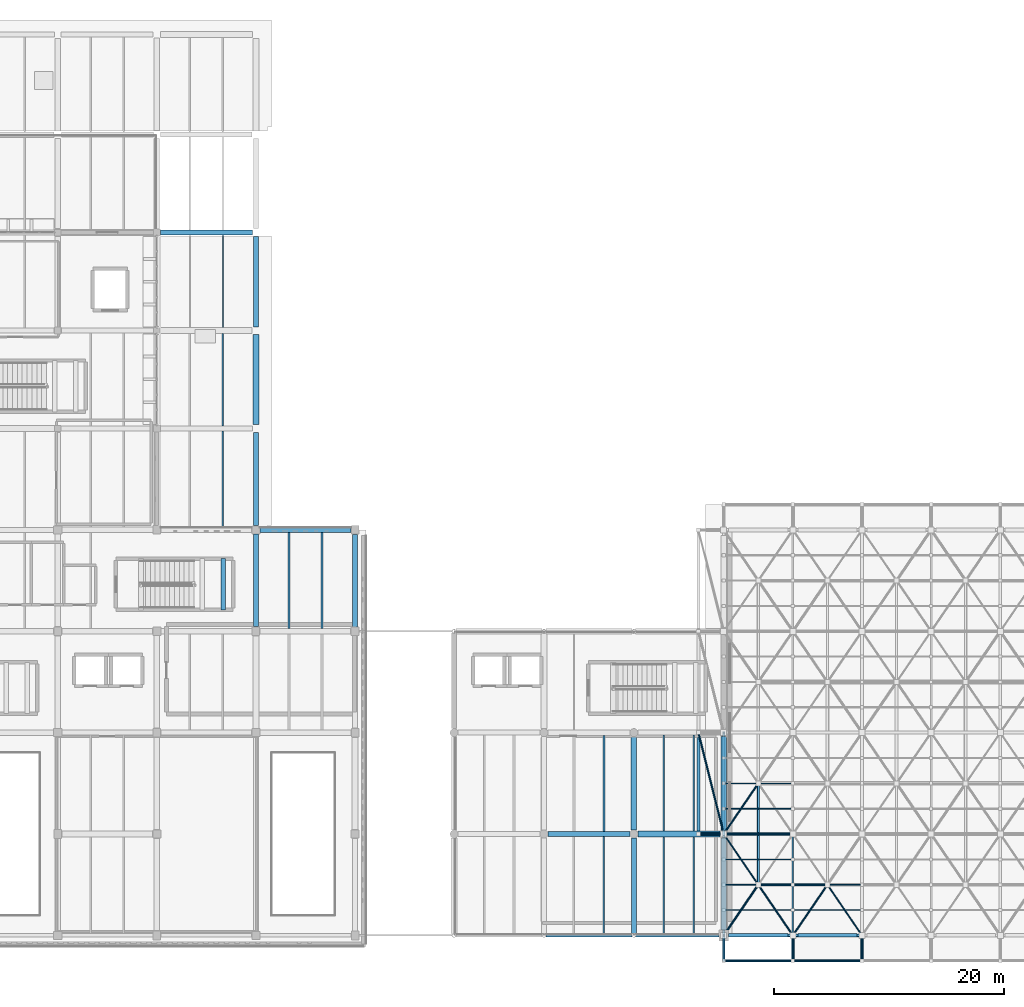
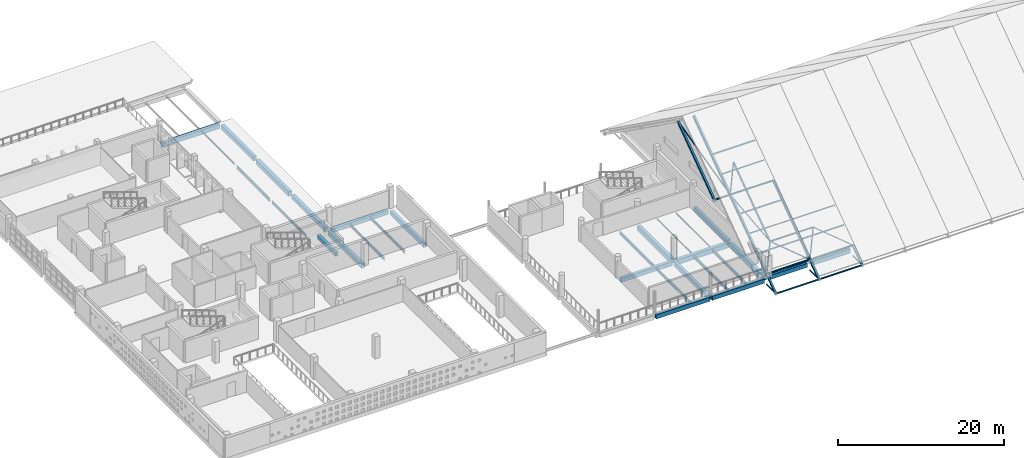
# One storey, part 18 of 55: 32 members, 29 beams.
"""IFC4 building model written with IfcOpenShell, lengths in metres."""

import ifcopenshell
import ifcopenshell.guid

model = None  # the IFC model being written
_history = None  # IfcOwnerHistory: only IFC2X3 demands one
_inside = {}  # id of a spatial element -> (the spatial element, [elements in it])
_under = {}  # id of a project, library or spatial element -> (it, [spatial elements below it])
_declared = {}  # id of a project -> (the project, [libraries it declares])
_typed = {}  # id of a type object -> (the type object, [elements of that type])
_made_of = {}  # id of a material, layer set ... -> (it, [elements and type objects made of it])


def new_model(schema):
    """Start an empty IFC model of exactly this schema.

    Asked for "IFC4X3", IfcOpenShell would pick the latest addendum, in which some entities
    have other attributes; the version numbers below select the first issue.
    IFC2X3 requires an IfcOwnerHistory on every rooted entity: one is made here for all.
    """
    global model, _history
    if schema == "IFC4X3":
        model = ifcopenshell.file(schema_version=(4, 3, 0, 0))
    else:
        model = ifcopenshell.file(schema=schema)
    _inside.clear()
    _under.clear()
    _declared.clear()
    _typed.clear()
    _made_of.clear()
    _history = None
    if model.schema == "IFC2X3":
        org = make("IfcOrganization", Name="unknown")
        user = make(
            "IfcPersonAndOrganization",
            ThePerson=make("IfcPerson", FamilyName="unknown"),
            TheOrganization=org,
        )
        app = make(
            "IfcApplication",
            ApplicationDeveloper=org,
            Version="unknown",
            ApplicationFullName="unknown",
            ApplicationIdentifier="unknown",
        )
        _history = make(
            "IfcOwnerHistory",
            OwningUser=user,
            OwningApplication=app,
            ChangeAction="ADDED",
            CreationDate=0,
        )
    return model


def make(cls, **values):
    """One entity of the class cls with the attributes given. An attribute that is None is left unset."""
    return model.create_entity(
        cls, **{name: value for name, value in values.items() if value is not None}
    )


def rooted(cls, **values):
    """An entity with a GlobalId (a new one), such as an element, a storey or a relation."""
    return make(cls, GlobalId=ifcopenshell.guid.new(), OwnerHistory=_history, **values)


def si_unit(unit_type, name, prefix=None):
    """IfcSIUnit, for example si_unit("LENGTHUNIT", "METRE", prefix="MILLI")."""
    return make("IfcSIUnit", UnitType=unit_type, Prefix=prefix, Name=name)


def assignment(units):
    """IfcUnitAssignment: the units of a project."""
    return None if units is None else make("IfcUnitAssignment", Units=units)


def point(xyz):
    """IfcCartesianPoint."""
    return None if xyz is None else make("IfcCartesianPoint", Coordinates=xyz)


def direction(xyz):
    """IfcDirection."""
    return None if xyz is None else make("IfcDirection", DirectionRatios=xyz)


def frame(location, z_axis=None, x_axis=None):
    """IfcAxis2Placement3D, a coordinate frame: its origin and axes. An axis left out is left unset."""
    return make(
        "IfcAxis2Placement3D",
        Location=point(location),
        Axis=direction(z_axis),
        RefDirection=direction(x_axis),
    )


def frame_2d(location, x_axis=None):
    """IfcAxis2Placement2D, a coordinate frame in the plane: its origin and x axis."""
    return make(
        "IfcAxis2Placement2D", Location=point(location), RefDirection=direction(x_axis)
    )


def origin():
    """The frame at (0, 0, 0) with its axes left unset."""
    return frame((0.0, 0.0, 0.0))


def origin_2d():
    """The frame at (0, 0) in the plane with its x axis left unset."""
    return frame_2d((0.0, 0.0))


def place(relative_to, where):
    """IfcLocalPlacement: puts the frame where relative to a parent placement (None: the world)."""
    return make(
        "IfcLocalPlacement", PlacementRelTo=relative_to, RelativePlacement=where
    )


def context(
    kind, dimensions, precision=None, world=None, true_north=None, identifier=None
):
    """IfcGeometricRepresentationContext, for example the 3D "Model" context."""
    return make(
        "IfcGeometricRepresentationContext",
        ContextIdentifier=identifier,
        ContextType=kind,
        CoordinateSpaceDimension=dimensions,
        Precision=precision,
        WorldCoordinateSystem=world,
        TrueNorth=true_north,
    )


def subcontext(parent, identifier, kind, view, scale=None):
    """IfcGeometricRepresentationSubContext, for example "Body" below "Model"."""
    return make(
        "IfcGeometricRepresentationSubContext",
        ContextIdentifier=identifier,
        ContextType=kind,
        ParentContext=parent,
        TargetScale=scale,
        TargetView=view,
    )


def project(units=None, contexts=None):
    """IfcProject with its units and contexts."""
    return rooted(
        "IfcProject",
        Name="project",
        RepresentationContexts=contexts,
        UnitsInContext=assignment(units),
    )


def spatial(cls, under=None, at=None, **own):
    """A site, building, storey or space (cls), placed at a placement, below another one or the project."""
    s = rooted(cls, ObjectPlacement=at, **own)
    if under is not None:
        _under.setdefault(under.id(), (under, []))[1].append(s)
    return s


def profile(cls, at=None, kind="AREA", **sizes):
    """A parametric profile (cls). Its sizes go by their IFC names, for example OverallWidth=200.0."""
    return make(cls, ProfileType=kind, Position=at, **sizes)


def rectangle(**sizes):
    """IfcRectangleProfileDef."""
    return profile("IfcRectangleProfileDef", **sizes)


def hollow_rectangle(**sizes):
    """IfcRectangleHollowProfileDef."""
    return profile("IfcRectangleHollowProfileDef", **sizes)


def hollow_circle(**sizes):
    """IfcCircleHollowProfileDef."""
    return profile("IfcCircleHollowProfileDef", **sizes)


def i_section(**sizes):
    """IfcIShapeProfileDef."""
    return profile("IfcIShapeProfileDef", **sizes)


def extrude(swept, where, along, depth):
    """IfcExtrudedAreaSolid: the profile swept, set in the frame where, extruded along a direction by depth."""
    return make(
        "IfcExtrudedAreaSolid",
        SweptArea=swept,
        Position=where,
        ExtrudedDirection=direction(along),
        Depth=depth,
    )


def shape(context_of_items, identifier, shape_type, items):
    """IfcShapeRepresentation: the items that make up one representation, for example the "Body"."""
    return make(
        "IfcShapeRepresentation",
        ContextOfItems=context_of_items,
        RepresentationIdentifier=identifier,
        RepresentationType=shape_type,
        Items=items,
    )


def material(Name=None, Category=None):
    """IfcMaterial."""
    return make("IfcMaterial", Name=Name, Category=Category)


def material_profile(
    of_material, cross_section, Name=None, Category=None, Priority=None
):
    """IfcMaterialProfile: a cross section and its material."""
    return make(
        "IfcMaterialProfile",
        Name=Name,
        Material=of_material,
        Profile=cross_section,
        Priority=Priority,
        Category=Category,
    )


def profile_set(profiles, Name=None, composite=None):
    """IfcMaterialProfileSet."""
    return make(
        "IfcMaterialProfileSet",
        Name=Name,
        MaterialProfiles=profiles,
        CompositeProfile=composite,
    )


def made_of(thing, what):
    """Note that an element or type object is made of a material, layer set ...; save() writes the relation."""
    if what is not None:
        _made_of.setdefault(what.id(), (what, []))[1].append(thing)
    return thing


def type_object(cls, material=None, **own):
    """A type object (cls), such as IfcWallType, which elements share."""
    return made_of(rooted(cls, **own), material)


def element(
    cls,
    number,
    at=None,
    inside=None,
    cuts=None,
    type_object=None,
    material=None,
    context=None,
    identifier="Body",
    shape_type=None,
    held_by="IfcProductDefinitionShape",
    body=None,
    shapes=None,
    **own,
):
    """One element of the class cls, such as IfcWall. Its Tag is "e" and its number.

    at: its placement. inside: the storey or other place that contains it. cuts: it is an
    opening in that element (IfcRelVoidsElement). A single representation is given by context,
    identifier, shape_type and body (its items); several are given by shapes. held_by: the class
    of the entity that holds the representations. save() writes the other relations.
    """
    e = rooted(cls, Tag="e%d" % number, ObjectPlacement=at, **own)
    if body is not None:
        shapes = [shape(context, identifier, shape_type, body)]
    if shapes is not None:
        e.Representation = make(held_by, Representations=shapes)
    if inside is not None:
        _inside.setdefault(inside.id(), (inside, []))[1].append(e)
    if cuts is not None:
        rooted(
            "IfcRelVoidsElement", RelatingBuildingElement=cuts, RelatedOpeningElement=e
        )
    if type_object is not None:
        _typed.setdefault(type_object.id(), (type_object, []))[1].append(e)
    return made_of(e, material)


def aggregate(whole, parts):
    """IfcRelAggregates: a whole, such as a stair, and the parts it consists of."""
    return rooted("IfcRelAggregates", RelatingObject=whole, RelatedObjects=parts)


def save(model, path):
    """Write the relations noted so far, then the file.

    IfcRelAggregates (storeys below a building ...), IfcRelContainedInSpatialStructure (elements
    in a storey), IfcRelDefinesByType, IfcRelAssociatesMaterial and IfcRelDeclares: one each for
    every whole, place, type object, material and project.
    """
    for whole, parts in _under.values():
        aggregate(whole, parts)
    for where, things in _inside.values():
        rooted(
            "IfcRelContainedInSpatialStructure",
            RelatedElements=things,
            RelatingStructure=where,
        )
    for kind, things in _typed.values():
        rooted("IfcRelDefinesByType", RelatedObjects=things, RelatingType=kind)
    for what, things in _made_of.values():
        rooted("IfcRelAssociatesMaterial", RelatedObjects=things, RelatingMaterial=what)
    for by, libraries in _declared.values():
        rooted("IfcRelDeclares", RelatingContext=by, RelatedDefinitions=libraries)
    model.write(path)


model = new_model("IFC4")

# Units and contexts
model_context = context("Model", 3, precision=1e-05, world=origin(), true_north=direction((0.0, 1.0)))
body_context = subcontext(model_context, "Body", "Model", "MODEL_VIEW")
ifc_project = project(units=[si_unit("LENGTHUNIT", "METRE"), si_unit("AREAUNIT", "SQUARE_METRE"), si_unit("VOLUMEUNIT", "CUBIC_METRE"), si_unit("PLANEANGLEUNIT", "RADIAN"), si_unit("MASSUNIT", "GRAM", prefix="KILO")], contexts=[model_context])

# Site, building, storey
site_placement = place(None, origin())
site = spatial("IfcSite", under=ifc_project, at=site_placement, CompositionType="ELEMENT")
building_placement = place(site_placement, origin())
building = spatial("IfcBuilding", under=site, at=building_placement, Name="Varnakota Cinema and Media Centre", CompositionType="ELEMENT")
storey_placement = place(building_placement, frame((0.0, 0.0, 15.60009765625)))
storey = spatial("IfcBuildingStorey", under=building, at=storey_placement, Name="L04", CompositionType="ELEMENT", Elevation=15.60009765625)

# Beams
ifc_material_1 = material(Name="Concrete M35", Category="concrete")
ifc_material_profile_1 = material_profile(ifc_material_1, rectangle(XDim=0.39990234375, YDim=0.550048828125, at=origin_2d()), Name="RCB 400x550")
ifc_profile_set_1 = profile_set([ifc_material_profile_1], Name="Concrete M35")
beam_type_1 = type_object("IfcBeamType", Name="BM-RC-400x550", PredefinedType="BEAM", material=ifc_profile_set_1)
beam_1_placement = place(storey_placement, frame((31.562744140625, 28.25, 1.25), z_axis=(0.0, 1.0, 0.0), x_axis=(-1.0, 0.0, 0.0)))
element("IfcBeam", 1, at=beam_1_placement, inside=storey, type_object=beam_type_1, Name="L04 ST-02 landing support beam 2", PredefinedType="BEAM", context=body_context, shape_type="SweptSolid", body=[
    extrude(rectangle(XDim=0.39990234375, YDim=0.550048828125, at=origin_2d()), origin(), (0.0, 0.0, 1.0), 4.449951171875),
])
ifc_material_2 = material(Name="Concrete M35", Category="concrete")
ifc_material_profile_2 = material_profile(ifc_material_2, rectangle(XDim=0.449951171875, YDim=0.60009765625, at=origin_2d()), Name="RCB 450x600")
ifc_profile_set_2 = profile_set([ifc_material_profile_2], Name="Concrete M35")
beam_type_2 = type_object("IfcBeamType", Name="BM-RC-450x600", PredefinedType="BEAM", material=ifc_profile_set_2)
beam_2_placement = place(storey_placement, frame((59.75, 8.800048828125, -0.550048828125), z_axis=(1.0, 0.0, 0.0), x_axis=(0.0, 1.0, 0.0)))
element("IfcBeam", 2, at=beam_2_placement, inside=storey, type_object=beam_type_2, Name="L04 girder H-J/2", PredefinedType="BEAM", context=body_context, shape_type="SweptSolid", body=[
    extrude(rectangle(XDim=0.449951171875, YDim=0.60009765625, at=origin_2d()), origin(), (0.0, 0.0, 1.0), 7.10009765625),
])
beam_3_placement = place(storey_placement, frame((34.77490234375, 35.199951171875, -0.550048828125), z_axis=(1.0, 0.0, 0.0), x_axis=(0.0, 1.0, 0.0)))
element("IfcBeam", 3, at=beam_3_placement, inside=storey, type_object=beam_type_2, Name="L04 girder E-F/5", PredefinedType="BEAM", context=body_context, shape_type="SweptSolid", body=[
    extrude(rectangle(XDim=0.449951171875, YDim=0.60009765625, at=origin_2d()), origin(), (0.0, 0.0, 1.0), 7.875),
])
beam_4_placement = place(storey_placement, frame((34.39990234375, 35.574951171875, -0.550048828125), z_axis=(0.0, 1.0, 0.0), x_axis=(-1.0, 0.0, 0.0)))
element("IfcBeam", 4, at=beam_4_placement, inside=storey, type_object=beam_type_2, Name="L04 girder E/5-6", PredefinedType="BEAM", context=body_context, shape_type="SweptSolid", body=[
    extrude(rectangle(XDim=0.449951171875, YDim=0.60009765625, at=origin_2d()), origin(), (0.0, 0.0, 1.0), 8.074951171875),
])
beam_5_placement = place(storey_placement, frame((43.0, 26.77490234375, -0.550048828125), z_axis=(0.0, 1.0, 0.0), x_axis=(-1.0, 0.0, 0.0)))
element("IfcBeam", 5, at=beam_5_placement, inside=storey, type_object=beam_type_2, Name="L04 girder F/4-5", PredefinedType="BEAM", context=body_context, shape_type="SweptSolid", body=[
    extrude(rectangle(XDim=0.449951171875, YDim=0.60009765625, at=origin_2d()), origin(), (0.0, 0.0, 1.0), 8.025146484375),
])
beam_6_placement = place(storey_placement, frame((67.199951171875, 0.162109375, -0.550048828125), z_axis=(0.0, 1.0, 0.0), x_axis=(-1.0, 0.0, 0.0)))
element("IfcBeam", 6, at=beam_6_placement, inside=storey, type_object=beam_type_2, Name="L04 girder J/1-2", PredefinedType="BEAM", context=body_context, shape_type="SweptSolid", body=[
    extrude(rectangle(XDim=0.449951171875, YDim=0.60009765625, at=origin_2d()), origin(), (0.0, 0.0, 1.0), 8.287841796875),
])
ifc_material_3 = material(Name="Concrete M35", Category="concrete")
ifc_material_profile_3 = material_profile(ifc_material_3, rectangle(XDim=0.449951171875, YDim=0.64990234375, at=origin_2d()), Name="RCB 450x650")
ifc_profile_set_3 = profile_set([ifc_material_profile_3], Name="Concrete M35")
beam_type_3 = type_object("IfcBeamType", Name="BM-RC-450x650", PredefinedType="BEAM", material=ifc_profile_set_3)
beam_7_placement = place(storey_placement, frame((26.125, 61.0, -0.5751953125), z_axis=(1.0, 0.0, 0.0), x_axis=(0.0, 1.0, 0.0)))
element("IfcBeam", 7, at=beam_7_placement, inside=storey, type_object=beam_type_3, Name="L04 girder D-E/8", PredefinedType="BEAM", context=body_context, shape_type="SweptSolid", body=[
    extrude(rectangle(XDim=0.449951171875, YDim=0.64990234375, at=origin_2d()), origin(), (0.0, 0.0, 1.0), 7.97509765625),
])
beam_8_placement = place(storey_placement, frame((34.39990234375, 26.800048828125, -0.5751953125), z_axis=(0.0, 1.0, 0.0), x_axis=(-1.0, 0.0, 0.0)))
element("IfcBeam", 8, at=beam_8_placement, inside=storey, type_object=beam_type_3, Name="L04 girder E/4-5", PredefinedType="BEAM", context=body_context, shape_type="SweptSolid", body=[
    extrude(rectangle(XDim=0.449951171875, YDim=0.64990234375, at=origin_2d()), origin(), (0.0, 0.0, 1.0), 8.02490234375),
])
beam_9_placement = place(storey_placement, frame((34.39990234375, 52.824951171875, -0.5751953125), z_axis=(0.0, 1.0, 0.0), x_axis=(-1.0, 0.0, 0.0)))
element("IfcBeam", 9, at=beam_9_placement, inside=storey, type_object=beam_type_3, Name="L04 girder E/7-8", PredefinedType="BEAM", context=body_context, shape_type="SweptSolid", body=[
    extrude(rectangle(XDim=0.449951171875, YDim=0.64990234375, at=origin_2d()), origin(), (0.0, 0.0, 1.0), 7.824951171875),
])
beam_10_placement = place(storey_placement, frame((75.0, 9.125, -0.5751953125), z_axis=(0.0, 1.0, 0.0), x_axis=(-1.0, 0.0, 0.0)))
element("IfcBeam", 10, at=beam_10_placement, inside=storey, type_object=beam_type_3, Name="L04 girder K/2-3", PredefinedType="BEAM", context=body_context, shape_type="SweptSolid", body=[
    extrude(rectangle(XDim=0.449951171875, YDim=0.64990234375, at=origin_2d()), origin(), (0.0, 0.0, 1.0), 8.125),
])
ifc_material_4 = material(Name="Concrete M35", Category="concrete")
ifc_material_profile_4 = material_profile(ifc_material_4, rectangle(XDim=0.5, YDim=0.699951171875, at=origin_2d()), Name="RCB 500x700")
ifc_profile_set_4 = profile_set([ifc_material_profile_4], Name="Concrete M35")
beam_type_4 = type_object("IfcBeamType", Name="BM-RC-500x700", PredefinedType="BEAM", material=ifc_profile_set_4)
beam_11_placement = place(storey_placement, frame((67.550048828125, 8.800048828125, -0.60009765625), z_axis=(1.0, 0.0, 0.0), x_axis=(0.0, 1.0, 0.0)))
element("IfcBeam", 11, at=beam_11_placement, inside=storey, type_object=beam_type_4, Name="L04 girder J-K/2", PredefinedType="BEAM", context=body_context, shape_type="SweptSolid", body=[
    extrude(rectangle(XDim=0.5, YDim=0.699951171875, at=origin_2d()), origin(), (0.0, 0.0, 1.0), 7.125),
])
beam_12_placement = place(storey_placement, frame((34.39990234375, 44.35009765625, -0.60009765625), z_axis=(0.0, 1.0, 0.0), x_axis=(-1.0, 0.0, 0.0)))
element("IfcBeam", 12, at=beam_12_placement, inside=storey, type_object=beam_type_4, Name="L04 girder E/6-7", PredefinedType="BEAM", context=body_context, shape_type="SweptSolid", body=[
    extrude(rectangle(XDim=0.5, YDim=0.699951171875, at=origin_2d()), origin(), (0.0, 0.0, 1.0), 7.824951171875),
])
beam_13_placement = place(storey_placement, frame((67.199951171875, 9.14990234375, -0.60009765625), z_axis=(0.0, 1.0, 0.0), x_axis=(-1.0, 0.0, 0.0)))
element("IfcBeam", 13, at=beam_13_placement, inside=storey, type_object=beam_type_4, Name="L04 girder J/2-3", PredefinedType="BEAM", context=body_context, shape_type="SweptSolid", body=[
    extrude(rectangle(XDim=0.5, YDim=0.699951171875, at=origin_2d()), origin(), (0.0, 0.0, 1.0), 8.10009765625),
])
beam_14_placement = place(storey_placement, frame((75.0, 0.47509765625, -0.60009765625), z_axis=(0.0, 1.0, 0.0), x_axis=(-1.0, 0.0, 0.0)))
element("IfcBeam", 14, at=beam_14_placement, inside=storey, type_object=beam_type_4, Name="L04 girder K/1-2", PredefinedType="BEAM", context=body_context, shape_type="SweptSolid", body=[
    extrude(rectangle(XDim=0.5, YDim=0.699951171875, at=origin_2d()), origin(), (0.0, 0.0, 1.0), 8.0),
])
ifc_material_5 = material(Name="Concrete M35", Category="concrete")
ifc_material_profile_5 = material_profile(ifc_material_5, rectangle(XDim=0.300048828125, YDim=0.60009765625, at=origin_2d()), Name="RCB 300x600")
ifc_profile_set_5 = profile_set([ifc_material_profile_5], Name="Concrete M35")
beam_type_5 = type_object("IfcBeamType", Name="BM-SP-300x600", PredefinedType="SPANDREL", material=ifc_profile_set_5)
beam_15_placement = place(storey_placement, frame((59.56201171875, 0.0, -0.550048828125), z_axis=(1.0, 0.0, 0.0), x_axis=(0.0, 1.0, 0.0)))
element("IfcBeam", 15, at=beam_15_placement, inside=storey, type_object=beam_type_5, Name="L04 girder H-J/1", PredefinedType="SPANDREL", context=body_context, shape_type="SweptSolid", body=[
    extrude(rectangle(XDim=0.300048828125, YDim=0.60009765625, at=origin_2d()), origin(), (0.0, 0.0, 1.0), 7.47607421875),
])
beam_16_placement = place(storey_placement, frame((67.362060546875, 0.0, -0.550048828125), z_axis=(1.0, 0.0, 0.0), x_axis=(0.0, 1.0, 0.0)))
element("IfcBeam", 16, at=beam_16_placement, inside=storey, type_object=beam_type_5, Name="L04 girder J-K/1", PredefinedType="SPANDREL", context=body_context, shape_type="SweptSolid", body=[
    extrude(rectangle(XDim=0.300048828125, YDim=0.60009765625, at=origin_2d()), origin(), (0.0, 0.0, 1.0), 7.212890625),
])
for number, where, z_axis, x_axis, name in (
    (17, (75.425048828125, 0.0, -0.300048828125), (1.0, 0.0, 0.0), (0.0, 1.0, 0.0), "L04 girder K-L/1"),
    (18, (81.425048828125, 0.0, -0.300048828125), (1.0, 0.0, 0.0), (0.0, 1.0, 0.0), "L04 girder L-M/1"),
):
    element("IfcBeam", number, at=place(storey_placement, frame(where, z_axis=z_axis, x_axis=x_axis)), inside=storey, type_object=beam_type_5, Name=name, PredefinedType="SPANDREL", context=body_context, shape_type="SweptSolid", body=[
        extrude(rectangle(XDim=0.300048828125, YDim=0.60009765625, at=origin_2d()), origin(), (0.0, 0.0, 1.0), 5.14990234375),
    ])
ifc_material_6 = material(Name="Structural steel Grade 350 (E350)", Category="steel")
ifc_material_profile_6 = material_profile(ifc_material_6, i_section(OverallWidth=0.10009765625, OverallDepth=0.199951171875, WebThickness=0.005615234375, FlangeThickness=0.0107421875, FilletRadius=0.010986328125, at=origin_2d()), Name="ISMB 200")
ifc_profile_set_6 = profile_set([ifc_material_profile_6], Name="Structural steel Grade 350 (E350)")
beam_type_6 = type_object("IfcBeamType", Name="BM-ST-ISMB200", PredefinedType="JOIST", material=ifc_profile_set_6)
beam_17_placement = place(storey_placement, frame((31.533203125, 52.75, -0.35009765625), z_axis=(0.0, 1.0, 0.0), x_axis=(-1.0, 0.0, 0.0)))
element("IfcBeam", 19, at=beam_17_placement, inside=storey, type_object=beam_type_6, Name="L04 steel joist D-E/7-8 #2", PredefinedType="JOIST", context=body_context, shape_type="SweptSolid", body=[
    extrude(i_section(OverallWidth=0.10009765625, OverallDepth=0.199951171875, WebThickness=0.005615234375, FlangeThickness=0.0107421875, FilletRadius=0.010986328125, at=origin_2d()), origin(), (0.0, 0.0, 1.0), 8.02490234375),
])
for number, where, z_axis, x_axis, name in (
    (20, (69.800048828125, 9.050048828125, -0.35009765625), (0.0, 1.0, 0.0), (-1.0, 0.0, 0.0), "L04 steel joist J-K/2-3 #1"),
    (21, (72.39990234375, 9.050048828125, -0.35009765625), (0.0, 1.0, 0.0), (-1.0, 0.0, 0.0), "L04 steel joist J-K/2-3 #2"),
):
    element("IfcBeam", number, at=place(storey_placement, frame(where, z_axis=z_axis, x_axis=x_axis)), inside=storey, type_object=beam_type_6, Name=name, PredefinedType="JOIST", context=body_context, shape_type="SweptSolid", body=[
        extrude(i_section(OverallWidth=0.10009765625, OverallDepth=0.199951171875, WebThickness=0.005615234375, FlangeThickness=0.0107421875, FilletRadius=0.010986328125, at=origin_2d()), origin(), (0.0, 0.0, 1.0), 8.324951171875),
    ])
ifc_material_7 = material(Name="Structural steel Grade 350 (E350)", Category="steel")
ifc_material_profile_7 = material_profile(ifc_material_7, i_section(OverallWidth=0.139892578125, OverallDepth=0.39990234375, WebThickness=0.0087890625, FlangeThickness=0.01611328125, FilletRadius=0.013916015625, at=origin_2d()), Name="ISMB 400")
ifc_profile_set_7 = profile_set([ifc_material_profile_7], Name="Structural steel Grade 350 (E350)")
beam_type_7 = type_object("IfcBeamType", Name="BM-ST-ISMB400", PredefinedType="JOIST", material=ifc_profile_set_7)
beam_18_placement = place(storey_placement, frame((31.533203125, 35.425048828125, -0.4501953125), z_axis=(0.0, 1.0, 0.0), x_axis=(-1.0, 0.0, 0.0)))
element("IfcBeam", 22, at=beam_18_placement, inside=storey, type_object=beam_type_7, Name="L04 steel joist D-E/5-6 #2", PredefinedType="JOIST", context=body_context, shape_type="SweptSolid", body=[
    extrude(i_section(OverallWidth=0.139892578125, OverallDepth=0.39990234375, WebThickness=0.0087890625, FlangeThickness=0.01611328125, FilletRadius=0.013916015625, at=origin_2d()), origin(), (0.0, 0.0, 1.0), 8.349853515625),
])
for number, where, z_axis, x_axis, name in (
    (23, (37.2666015625, 26.625, -0.4501953125), (0.0, 1.0, 0.0), (-1.0, 0.0, 0.0), "L04 steel joist E-F/4-5 #1"),
    (24, (40.13330078125, 26.625, -0.4501953125), (0.0, 1.0, 0.0), (-1.0, 0.0, 0.0), "L04 steel joist E-F/4-5 #2"),
):
    element("IfcBeam", number, at=place(storey_placement, frame(where, z_axis=z_axis, x_axis=x_axis)), inside=storey, type_object=beam_type_7, Name=name, PredefinedType="JOIST", context=body_context, shape_type="SweptSolid", body=[
        extrude(i_section(OverallWidth=0.139892578125, OverallDepth=0.39990234375, WebThickness=0.0087890625, FlangeThickness=0.01611328125, FilletRadius=0.013916015625, at=origin_2d()), origin(), (0.0, 0.0, 1.0), 8.35009765625),
    ])
beam_19_placement = place(storey_placement, frame((64.60009765625, 0.14990234375, -0.4501953125), z_axis=(0.0, 1.0, 0.0), x_axis=(-1.0, 0.0, 0.0)))
element("IfcBeam", 25, at=beam_19_placement, inside=storey, type_object=beam_type_7, Name="L04 steel joist H-J/1-2 #2", PredefinedType="JOIST", context=body_context, shape_type="SweptSolid", body=[
    extrude(i_section(OverallWidth=0.139892578125, OverallDepth=0.39990234375, WebThickness=0.0087890625, FlangeThickness=0.01611328125, FilletRadius=0.013916015625, at=origin_2d()), origin(), (0.0, 0.0, 1.0), 8.425048828125),
])
ifc_material_8 = material(Name="Structural steel Grade 350 (E350)", Category="steel")
ifc_material_profile_8 = material_profile(ifc_material_8, i_section(OverallWidth=0.14990234375, OverallDepth=0.449951171875, WebThickness=0.009521484375, FlangeThickness=0.017333984375, FilletRadius=0.014892578125, at=origin_2d()), Name="ISMB 450")
ifc_profile_set_8 = profile_set([ifc_material_profile_8], Name="Structural steel Grade 350 (E350)")
beam_type_8 = type_object("IfcBeamType", Name="BM-ST-ISMB450", PredefinedType="BEAM", material=ifc_profile_set_8)
beam_20_placement = place(storey_placement, frame((31.533203125, 44.22509765625, -0.47509765625), z_axis=(0.0, 1.0, 0.0), x_axis=(-1.0, 0.0, 0.0)))
element("IfcBeam", 26, at=beam_20_placement, inside=storey, type_object=beam_type_8, Name="L04 steel joist D-E/6-7 #2", PredefinedType="BEAM", context=body_context, shape_type="SweptSolid", body=[
    extrude(i_section(OverallWidth=0.14990234375, OverallDepth=0.449951171875, WebThickness=0.009521484375, FlangeThickness=0.017333984375, FilletRadius=0.014892578125, at=origin_2d()), origin(), (0.0, 0.0, 1.0), 8.02490234375),
])
beam_21_placement = place(storey_placement, frame((64.60009765625, 9.02490234375, -0.47509765625), z_axis=(0.0, 1.0, 0.0), x_axis=(-1.0, 0.0, 0.0)))
element("IfcBeam", 27, at=beam_21_placement, inside=storey, type_object=beam_type_8, Name="L04 steel joist H-J/2-3 #2", PredefinedType="BEAM", context=body_context, shape_type="SweptSolid", body=[
    extrude(i_section(OverallWidth=0.14990234375, OverallDepth=0.449951171875, WebThickness=0.009521484375, FlangeThickness=0.017333984375, FilletRadius=0.014892578125, at=origin_2d()), origin(), (0.0, 0.0, 1.0), 8.3251953125),
])
for number, where, z_axis, x_axis, name in (
    (28, (69.800048828125, 0.14990234375, -0.47509765625), (0.0, 1.0, 0.0), (-1.0, 0.0, 0.0), "L04 steel joist J-K/1-2 #1"),
    (29, (72.39990234375, 0.14990234375, -0.47509765625), (0.0, 1.0, 0.0), (-1.0, 0.0, 0.0), "L04 steel joist J-K/1-2 #2"),
):
    element("IfcBeam", number, at=place(storey_placement, frame(where, z_axis=z_axis, x_axis=x_axis)), inside=storey, type_object=beam_type_8, Name=name, PredefinedType="BEAM", context=body_context, shape_type="SweptSolid", body=[
        extrude(i_section(OverallWidth=0.14990234375, OverallDepth=0.449951171875, WebThickness=0.009521484375, FlangeThickness=0.017333984375, FilletRadius=0.014892578125, at=origin_2d()), origin(), (0.0, 0.0, 1.0), 8.400146484375),
    ])

# Members
ifc_material_9 = material(Name="Structural steel S355 (YSt 355)", Category="steel")
ifc_material_profile_9 = material_profile(ifc_material_9, hollow_circle(Radius=0.06982421875, WallThickness=0.006103515625, at=origin_2d()), Name="CHS 139.7x6.0")
ifc_profile_set_9 = profile_set([ifc_material_profile_9], Name="Structural steel S355 (YSt 355)")
member_type_1 = type_object("IfcMemberType", Name="MEM-ST-CHS139_7x6_0", PredefinedType="CHORD", material=ifc_profile_set_9)
member_1_placement = place(storey_placement, frame((78.0, 4.39990234375, 1.349853515625), z_axis=(-0.40116493033, 0.588394819283, 0.702038628078), x_axis=(-0.826236071711, -0.563324022037, 0.0)))
element("IfcMember", 30, at=member_1_placement, inside=storey, type_object=member_type_1, Name="V1 space-frame diagonal 1.1.3", PredefinedType="CHORD", context=body_context, shape_type="SweptSolid", body=[
    extrude(hollow_circle(Radius=0.06982421875, WallThickness=0.006103515625, at=origin_2d()), origin(), (0.0, 0.0, 1.0), 7.478271484375),
])
member_2_placement = place(storey_placement, frame((84.0, 4.39990234375, 1.349853515625), z_axis=(0.552703271274, -0.810613472892, -0.193455140767), x_axis=(0.826221523208, 0.563345359959, 0.0)))
element("IfcMember", 31, at=member_2_placement, inside=storey, type_object=member_type_1, Name="V1 space-frame diagonal 2.1.2", PredefinedType="CHORD", context=body_context, shape_type="SweptSolid", body=[
    extrude(hollow_circle(Radius=0.06982421875, WallThickness=0.006103515625, at=origin_2d()), origin(), (0.0, 0.0, 1.0), 5.427978515625),
])
ifc_material_10 = material(Name="Structural steel S355 (YSt 355)", Category="steel")
ifc_material_profile_10 = material_profile(ifc_material_10, hollow_circle(Radius=0.084228515625, WallThickness=0.00634765625, at=origin_2d()), Name="CHS 168.3x6.3")
ifc_profile_set_10 = profile_set([ifc_material_profile_10], Name="Structural steel S355 (YSt 355)")
member_type_2 = type_object("IfcMemberType", Name="MEM-ST-CHS168_3x6_3", PredefinedType="BRACE", material=ifc_profile_set_10)
for number, where, z_axis, x_axis, name in (
    (32, (78.0, 4.39990234375, 1.349853515625), (0.552703271274, -0.810613472892, -0.193455140767), (0.826221523208, 0.563345359959, 0.0), "V1 space-frame diagonal 1.1.2"),
    (33, (78.0, 13.199951171875, 7.64990234375), (-0.552703271274, -0.810613472892, -0.193455140767), (0.826221523208, -0.563345359959, 0.0), "V1 space-frame diagonal 1.2.1"),
    (34, (84.0, 4.39990234375, 1.349853515625), (-0.552703271274, -0.810613472892, -0.193455140767), (0.826221523208, -0.563345359959, 0.0), "V1 space-frame diagonal 2.1.1"),
):
    element("IfcMember", number, at=place(storey_placement, frame(where, z_axis=z_axis, x_axis=x_axis)), inside=storey, type_object=member_type_2, Name=name, PredefinedType="BRACE", context=body_context, shape_type="SweptSolid", body=[
        extrude(hollow_circle(Radius=0.084228515625, WallThickness=0.00634765625, at=origin_2d()), origin(), (0.0, 0.0, 1.0), 5.427978515625),
    ])
member_3_placement = place(storey_placement, frame((75.0, 8.800048828125, 6.599853515625), z_axis=(-0.199197685045, 0.796812846238, 0.570446816401), x_axis=(-0.970144083348, -0.242529292136, 0.0)))
element("IfcMember", 35, at=member_3_placement, inside=storey, type_object=member_type_2, Name="V1 W gable space-frame diagonal 2", PredefinedType="BRACE", context=body_context, shape_type="SweptSolid", body=[
    extrude(hollow_circle(Radius=0.084228515625, WallThickness=0.00634765625, at=origin_2d()), origin(), (0.0, 0.0, 1.0), 11.0439453125),
])
ifc_material_11 = material(Name="Structural steel S355 (YSt 355)", Category="steel")
ifc_material_profile_11 = material_profile(ifc_material_11, hollow_circle(Radius=0.096923828125, WallThickness=0.00634765625, at=origin_2d()), Name="CHS 193.7x6.3")
ifc_profile_set_11 = profile_set([ifc_material_profile_11], Name="Structural steel S355 (YSt 355)")
member_type_3 = type_object("IfcMemberType", Name="MEM-ST-CHS193_7x6_3", PredefinedType="CHORD", material=ifc_profile_set_11)
member_4_placement = place(storey_placement, frame((78.0, 4.39990234375, 1.349853515625), z_axis=(-0.552703271274, -0.810613472892, -0.193455140767), x_axis=(0.826221523208, -0.563345359959, 0.0)))
element("IfcMember", 36, at=member_4_placement, inside=storey, type_object=member_type_3, Name="V1 space-frame diagonal 1.1.1", PredefinedType="CHORD", context=body_context, shape_type="SweptSolid", body=[
    extrude(hollow_circle(Radius=0.096923828125, WallThickness=0.00634765625, at=origin_2d()), origin(), (0.0, 0.0, 1.0), 5.427978515625),
])
for number, where, z_axis, x_axis, name in (
    (37, (75.0, 0.0, -1.25), (0.0, -0.999934678535, -0.01142972721), (1.0, 0.0, 0.0), "V1 space-frame S eave raking strut 1"),
    (38, (81.0, 0.0, -1.25), (0.0, -0.999934678535, -0.01142972721), (1.0, 0.0, 0.0), "V1 space-frame S eave raking strut 2"),
    (39, (87.0, 0.0, -1.25), (0.0, -0.999934678535, -0.01142972721), (1.0, 0.0, 0.0), "V1 space-frame S eave raking strut 3"),
):
    element("IfcMember", number, at=place(storey_placement, frame(where, z_axis=z_axis, x_axis=x_axis)), inside=storey, type_object=member_type_3, Name=name, PredefinedType="CHORD", context=body_context, shape_type="SweptSolid", body=[
        extrude(hollow_circle(Radius=0.096923828125, WallThickness=0.00634765625, at=origin_2d()), origin(), (0.0, 0.0, 1.0), 2.2001953125),
    ])
ifc_material_12 = material(Name="Structural steel S355 (YSt 355)", Category="steel")
ifc_material_profile_12 = material_profile(ifc_material_12, hollow_circle(Radius=0.109619140625, WallThickness=0.008056640625, at=origin_2d()), Name="CHS 219.1x8.0")
ifc_profile_set_12 = profile_set([ifc_material_profile_12], Name="Structural steel S355 (YSt 355)")
member_type_4 = type_object("IfcMemberType", Name="MEM-ST-CHS219_1x8_0", PredefinedType="BRACE", material=ifc_profile_set_12)
for number, where, z_axis, x_axis, name in (
    (40, (78.0, 4.39990234375, 1.349853515625), (1.0, 0.0, 0.0), (0.0, 1.0, 0.0), "V1 bottom longitudinal chord 1.1"),
    (41, (75.0, -2.199951171875, -1.275146484375), (1.0, 0.0, 0.0), (0.0, 1.0, 0.0), "V1 S eave fascia chord 1"),
    (42, (81.0, -2.199951171875, -1.275146484375), (1.0, 0.0, 0.0), (0.0, 1.0, 0.0), "V1 S eave fascia chord 2"),
):
    element("IfcMember", number, at=place(storey_placement, frame(where, z_axis=z_axis, x_axis=x_axis)), inside=storey, type_object=member_type_4, Name=name, PredefinedType="BRACE", context=body_context, shape_type="SweptSolid", body=[
        extrude(hollow_circle(Radius=0.109619140625, WallThickness=0.008056640625, at=origin_2d()), origin(), (0.0, 0.0, 1.0), 6.0),
    ])
ifc_material_13 = material(Name="Structural steel S355 (YSt 355)", Category="steel")
ifc_material_profile_13 = material_profile(ifc_material_13, hollow_circle(Radius=0.122314453125, WallThickness=0.008056640625, at=origin_2d()), Name="CHS 244.5x8.0")
ifc_profile_set_13 = profile_set([ifc_material_profile_13], Name="Structural steel S355 (YSt 355)")
member_type_5 = type_object("IfcMemberType", Name="MEM-ST-CHS244_5x8_0", PredefinedType="CHORD", material=ifc_profile_set_13)
member_5_placement = place(storey_placement, frame((75.0, 8.800048828125, 6.599853515625), z_axis=(1.0, 0.0, 0.0), x_axis=(0.0, 1.0, 0.0)))
element("IfcMember", 43, at=member_5_placement, inside=storey, type_object=member_type_5, Name="V1 top longitudinal chord 1.2", PredefinedType="CHORD", context=body_context, shape_type="SweptSolid", body=[
    extrude(hollow_circle(Radius=0.122314453125, WallThickness=0.008056640625, at=origin_2d()), origin(), (0.0, 0.0, 1.0), 6.0),
])
member_6_placement = place(storey_placement, frame((75.0, 8.800048828125, 6.599853515625), z_axis=(-1.0, 0.0, 0.0), x_axis=(0.0, -1.0, 0.0)))
element("IfcMember", 44, at=member_6_placement, inside=storey, type_object=member_type_5, Name="V1 W gable space-frame outrigger 2", PredefinedType="CHORD", context=body_context, shape_type="SweptSolid", body=[
    extrude(hollow_circle(Radius=0.122314453125, WallThickness=0.008056640625, at=origin_2d()), origin(), (0.0, 0.0, 1.0), 2.199951171875),
])
ifc_material_14 = material(Name="Structural steel S355 (YSt 355)", Category="steel")
ifc_material_profile_14 = material_profile(ifc_material_14, hollow_circle(Radius=0.136474609375, WallThickness=0.010009765625, at=origin_2d()), Name="CHS 273.0x10.0")
ifc_profile_set_14 = profile_set([ifc_material_profile_14], Name="Structural steel S355 (YSt 355)")
member_type_6 = type_object("IfcMemberType", Name="MEM-ST-CHS273_0x10_0", PredefinedType="BRACE", material=ifc_profile_set_14)
for number, where, z_axis, x_axis, name in (
    (45, (75.0, 0.0, 0.2998046875), (1.0, 0.0, 0.0), (0.0, 1.0, 0.0), "V1 top longitudinal chord 1.1"),
    (46, (81.0, 0.0, 0.2998046875), (1.0, 0.0, 0.0), (0.0, 1.0, 0.0), "V1 top longitudinal chord 2.1"),
):
    element("IfcMember", number, at=place(storey_placement, frame(where, z_axis=z_axis, x_axis=x_axis)), inside=storey, type_object=member_type_6, Name=name, PredefinedType="BRACE", context=body_context, shape_type="SweptSolid", body=[
        extrude(hollow_circle(Radius=0.136474609375, WallThickness=0.010009765625, at=origin_2d()), origin(), (0.0, 0.0, 1.0), 6.0),
    ])
ifc_material_15 = material(Name="Structural steel Grade 350 (E350)", Category="steel")
ifc_material_profile_15 = material_profile(ifc_material_15, i_section(OverallWidth=0.25, OverallDepth=0.25, WebThickness=0.0087890625, FlangeThickness=0.009765625, FilletRadius=0.010009765625, at=origin_2d()), Name="ISHB 250")
ifc_profile_set_15 = profile_set([ifc_material_profile_15], Name="Structural steel Grade 350 (E350)")
member_type_7 = type_object("IfcMemberType", Name="MEM-ST-ISHB250", PredefinedType="CHORD", material=ifc_profile_set_15)
for number, where, z_axis, x_axis, name in (
    (47, (75.0, 0.0, 0.2998046875), (0.0, -0.81311111287, -0.582108510612), (1.0, 0.0, 0.0), "V1 space-frame S eave overhang rafter 1"),
    (48, (81.0, 0.0, 0.2998046875), (0.0, -0.81311111287, -0.582108510612), (1.0, 0.0, 0.0), "V1 space-frame S eave overhang rafter 2"),
    (49, (87.0, 0.0, 0.2998046875), (0.0, -0.81311111287, -0.582108510612), (1.0, 0.0, 0.0), "V1 space-frame S eave overhang rafter 3"),
):
    element("IfcMember", number, at=place(storey_placement, frame(where, z_axis=z_axis, x_axis=x_axis)), inside=storey, type_object=member_type_7, Name=name, PredefinedType="CHORD", context=body_context, shape_type="SweptSolid", body=[
        extrude(i_section(OverallWidth=0.25, OverallDepth=0.25, WebThickness=0.0087890625, FlangeThickness=0.009765625, FilletRadius=0.010009765625, at=origin_2d()), origin(), (0.0, 0.0, 1.0), 2.70556640625),
    ])
ifc_material_16 = material(Name="Structural steel Grade 350 (E350)", Category="steel")
ifc_material_profile_16 = material_profile(ifc_material_16, i_section(OverallWidth=0.25, OverallDepth=0.300048828125, WebThickness=0.009521484375, FlangeThickness=0.010498046875, FilletRadius=0.010986328125, at=origin_2d()), Name="ISHB 300")
ifc_profile_set_16 = profile_set([ifc_material_profile_16], Name="Structural steel Grade 350 (E350)")
member_type_8 = type_object("IfcMemberType", Name="MEM-ST-ISHB300", PredefinedType="CHORD", material=ifc_profile_set_16)
member_7_placement = place(storey_placement, frame((72.800048828125, 8.800048828125, 6.599853515625), z_axis=(0.0, 0.813108079498, 0.582112747717), x_axis=(-1.0, 0.0, 0.0)))
element("IfcMember", 50, at=member_7_placement, inside=storey, type_object=member_type_8, Name="V1 W gable barge rafter 2", PredefinedType="CHORD", context=body_context, shape_type="SweptSolid", body=[
    extrude(i_section(OverallWidth=0.25, OverallDepth=0.300048828125, WebThickness=0.009521484375, FlangeThickness=0.010498046875, FilletRadius=0.010986328125, at=origin_2d()), origin(), (0.0, 0.0, 1.0), 10.82275390625),
])
ifc_material_17 = material(Name="Structural steel Grade 350 (E350)", Category="steel")
ifc_material_profile_17 = material_profile(ifc_material_17, i_section(OverallWidth=0.25, OverallDepth=0.39990234375, WebThickness=0.010498046875, FlangeThickness=0.0126953125, FilletRadius=0.011962890625, at=origin_2d()), Name="ISHB 400")
ifc_profile_set_17 = profile_set([ifc_material_profile_17], Name="Structural steel Grade 350 (E350)")
member_type_9 = type_object("IfcMemberType", Name="MEM-ST-ISHB400", PredefinedType="CHORD", material=ifc_profile_set_17)
for number, where, z_axis, x_axis, name in (
    (51, (75.0, 0.0, 0.2998046875), (0.0, 0.813108079498, 0.582112747717), (-1.0, 0.0, 0.0), "V1 top transverse chord 1.1"),
    (52, (75.0, 8.800048828125, 6.599853515625), (0.0, 0.813108079498, 0.582112747717), (-1.0, 0.0, 0.0), "V1 top transverse chord 1.2"),
):
    element("IfcMember", number, at=place(storey_placement, frame(where, z_axis=z_axis, x_axis=x_axis)), inside=storey, type_object=member_type_9, Name=name, PredefinedType="CHORD", context=body_context, shape_type="SweptSolid", body=[
        extrude(i_section(OverallWidth=0.25, OverallDepth=0.39990234375, WebThickness=0.010498046875, FlangeThickness=0.0126953125, FilletRadius=0.011962890625, at=origin_2d()), origin(), (0.0, 0.0, 1.0), 10.82275390625),
    ])
ifc_material_18 = material(Name="Structural steel Grade 350 (E350)", Category="steel")
ifc_material_profile_18 = material_profile(ifc_material_18, i_section(OverallWidth=0.14990234375, OverallDepth=0.449951171875, WebThickness=0.009521484375, FlangeThickness=0.017333984375, FilletRadius=0.014892578125, at=origin_2d()), Name="ISMB 450")
ifc_profile_set_18 = profile_set([ifc_material_profile_18], Name="Structural steel Grade 350 (E350)")
member_type_10 = type_object("IfcMemberType", Name="MEM-ST-ISMB450", PredefinedType="RAFTER", material=ifc_profile_set_18)
member_8_placement = place(storey_placement, frame((81.0, 0.0, 0.2998046875), z_axis=(0.0, 0.813108079498, 0.582112747717), x_axis=(-1.0, 0.0, 0.0)))
element("IfcMember", 53, at=member_8_placement, inside=storey, type_object=member_type_10, Name="V1 top transverse chord 2.1", PredefinedType="RAFTER", context=body_context, shape_type="SweptSolid", body=[
    extrude(i_section(OverallWidth=0.14990234375, OverallDepth=0.449951171875, WebThickness=0.009521484375, FlangeThickness=0.017333984375, FilletRadius=0.014892578125, at=origin_2d()), origin(), (0.0, 0.0, 1.0), 10.82275390625),
])
ifc_material_19 = material(Name="Structural steel S355 (YSt 355)", Category="steel")
ifc_material_profile_19 = material_profile(ifc_material_19, hollow_rectangle(XDim=0.10009765625, YDim=0.14990234375, WallThickness=0.006103515625, InnerFilletRadius=0.006103515625, OuterFilletRadius=0.011962890625, at=origin_2d()), Name="RHS 150x100x6")
ifc_profile_set_19 = profile_set([ifc_material_profile_19], Name="Structural steel S355 (YSt 355)")
member_type_11 = type_object("IfcMemberType", Name="MEM-ST-RHS150x100x6", PredefinedType="PURLIN", material=ifc_profile_set_19)
for number, where, z_axis, x_axis, name in (
    (54, (75.0, 4.39990234375, 3.52978515625), (1.0, 0.0, 0.0), (0.0, 1.0, 0.0), "V1 roof purlin 2.1"),
    (55, (81.0, 4.39990234375, 3.52978515625), (1.0, 0.0, 0.0), (0.0, 1.0, 0.0), "V1 roof purlin 2.2"),
    (56, (75.0, 11.0, 8.2548828125), (1.0, 0.0, 0.0), (0.0, 1.0, 0.0), "V1 roof purlin 4.1"),
):
    element("IfcMember", number, at=place(storey_placement, frame(where, z_axis=z_axis, x_axis=x_axis)), inside=storey, type_object=member_type_11, Name=name, PredefinedType="PURLIN", context=body_context, shape_type="SweptSolid", body=[
        extrude(hollow_rectangle(XDim=0.10009765625, YDim=0.14990234375, WallThickness=0.006103515625, InnerFilletRadius=0.006103515625, OuterFilletRadius=0.011962890625, at=origin_2d()), origin(), (0.0, 0.0, 1.0), 6.0),
    ])
ifc_material_20 = material(Name="Structural steel S355 (YSt 355)", Category="steel")
ifc_material_profile_20 = material_profile(ifc_material_20, hollow_rectangle(XDim=0.10009765625, YDim=0.199951171875, WallThickness=0.006103515625, InnerFilletRadius=0.006103515625, OuterFilletRadius=0.011962890625, at=origin_2d()), Name="RHS 200x100x6")
ifc_profile_set_20 = profile_set([ifc_material_profile_20], Name="Structural steel S355 (YSt 355)")
member_type_12 = type_object("IfcMemberType", Name="MEM-ST-RHS200x100x6", PredefinedType="PURLIN", material=ifc_profile_set_20)
for number, where, z_axis, x_axis, name in (
    (57, (75.0, 2.199951171875, 1.954833984375), (1.0, 0.0, 0.0), (0.0, 1.0, 0.0), "V1 roof purlin 1.1"),
    (58, (81.0, 2.199951171875, 1.954833984375), (1.0, 0.0, 0.0), (0.0, 1.0, 0.0), "V1 roof purlin 1.2"),
    (59, (75.0, 6.60009765625, 5.10498046875), (1.0, 0.0, 0.0), (0.0, 1.0, 0.0), "V1 roof purlin 3.1"),
    (60, (75.0, 13.199951171875, 9.829833984375), (1.0, 0.0, 0.0), (0.0, 1.0, 0.0), "V1 roof purlin 5.1"),
):
    element("IfcMember", number, at=place(storey_placement, frame(where, z_axis=z_axis, x_axis=x_axis)), inside=storey, type_object=member_type_12, Name=name, PredefinedType="PURLIN", context=body_context, shape_type="SweptSolid", body=[
        extrude(hollow_rectangle(XDim=0.10009765625, YDim=0.199951171875, WallThickness=0.006103515625, InnerFilletRadius=0.006103515625, OuterFilletRadius=0.011962890625, at=origin_2d()), origin(), (0.0, 0.0, 1.0), 6.0),
    ])
ifc_material_21 = material(Name="Structural steel S355 (YSt 355)", Category="steel")
ifc_material_profile_21 = material_profile(ifc_material_21, hollow_rectangle(XDim=0.199951171875, YDim=0.199951171875, WallThickness=0.010009765625, InnerFilletRadius=0.010009765625, OuterFilletRadius=0.02001953125, at=origin_2d()), Name="SHS 200x200x10")
ifc_profile_set_21 = profile_set([ifc_material_profile_21], Name="Structural steel S355 (YSt 355)")
member_type_13 = type_object("IfcMemberType", Name="MEM-ST-SHS200x200x10", PredefinedType="STRUT", material=ifc_profile_set_21)
member_9_placement = place(storey_placement, frame((78.0, 4.39990234375, 1.349853515625), z_axis=(0.0, 0.813108079498, 0.582112747717), x_axis=(-1.0, 0.0, 0.0)))
element("IfcMember", 61, at=member_9_placement, inside=storey, type_object=member_type_13, Name="V1 bottom transverse chord 1.1", PredefinedType="STRUT", context=body_context, shape_type="SweptSolid", body=[
    extrude(hollow_rectangle(XDim=0.199951171875, YDim=0.199951171875, WallThickness=0.010009765625, InnerFilletRadius=0.010009765625, OuterFilletRadius=0.02001953125, at=origin_2d()), origin(), (0.0, 0.0, 1.0), 10.82275390625),
])

save(model, "model.ifc")
